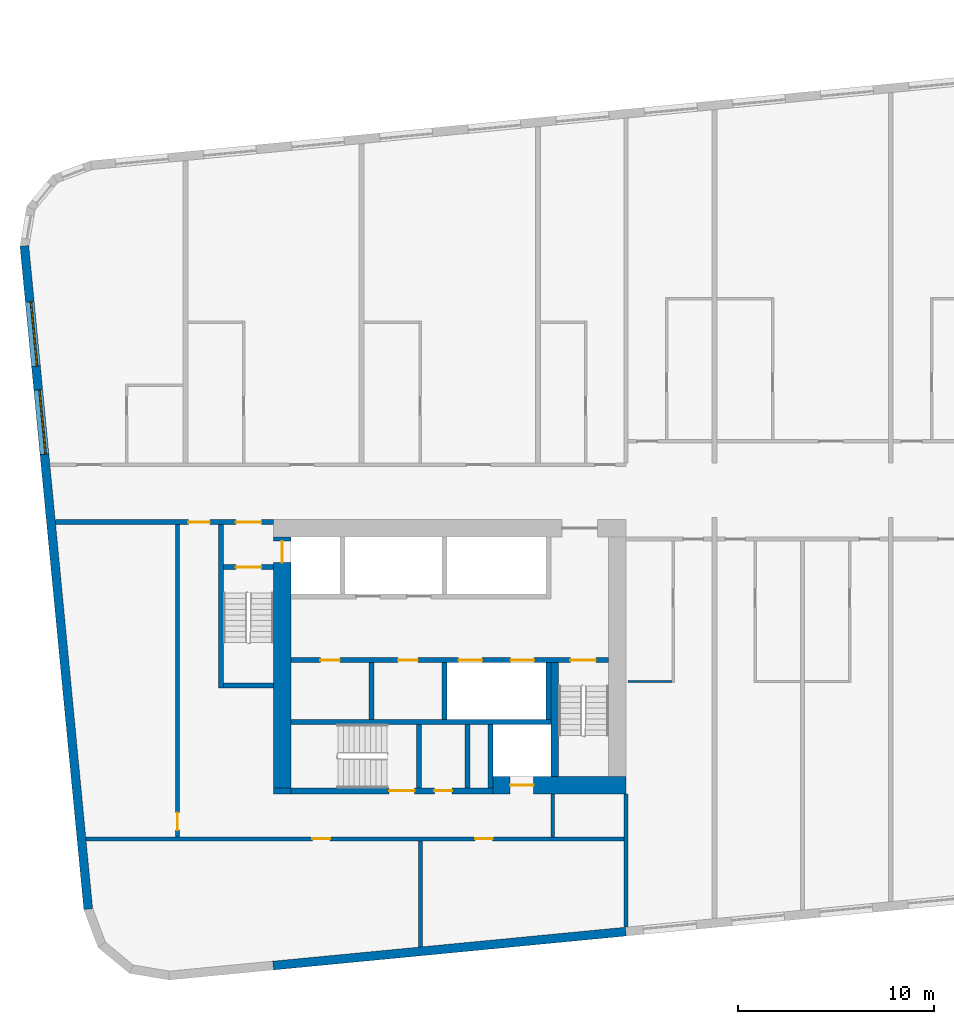
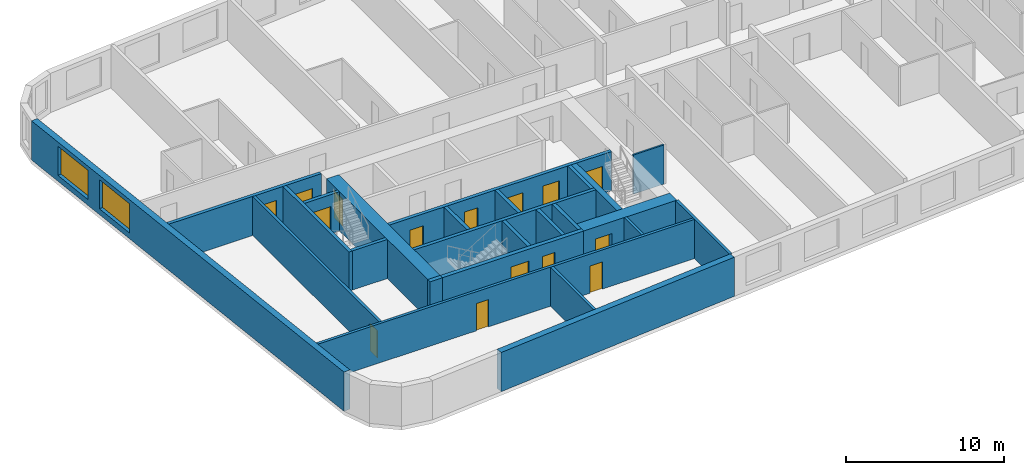
# One storey, part 2 of 12: 25 walls, 15 doors, 2 windows, 17 openings.
"""IFC4 building model written with IfcOpenShell, lengths in metres."""

from ifc_helpers import new_model, si_unit, direction, frame, frame_2d, origin, place, context, subcontext, project, spatial, rectangle, extrude, material, layer, layer_set, type_object, element, fill, save


model = new_model("IFC4")

# Units and contexts
model_context = context("Model", 3, precision=1e-05, world=origin(), true_north=direction((0.0, 1.0)))
body_context = subcontext(model_context, "Body", "Model", "MODEL_VIEW")
ifc_project = project(units=[si_unit("LENGTHUNIT", "METRE"), si_unit("AREAUNIT", "SQUARE_METRE"), si_unit("VOLUMEUNIT", "CUBIC_METRE"), si_unit("PLANEANGLEUNIT", "RADIAN"), si_unit("MASSUNIT", "GRAM", prefix="KILO")], contexts=[model_context])

# Site, building, storey
site_placement = place(None, origin())
site = spatial("IfcSite", under=ifc_project, at=site_placement, CompositionType="ELEMENT")
building_placement = place(site_placement, origin())
building = spatial("IfcBuilding", under=site, at=building_placement, Name="Kajstack Hotel Tower", CompositionType="ELEMENT")
storey_placement = place(building_placement, frame((0.0, 0.0, 193.300048828125)))
storey = spatial("IfcBuildingStorey", under=building, at=storey_placement, Name="L46", CompositionType="ELEMENT", Elevation=193.300048828125)

# Wall, opening, door
ifc_material_1 = material(Name="Concrete C60/75", Category="concrete")
ifc_layer_1 = layer(ifc_material_1, 0.89990234375)
ifc_layer_set_1 = layer_set([ifc_layer_1], Name="Core wall 900")
wall_type_1 = type_object("IfcWallType", Name="Core wall 900", PredefinedType="SHEAR", material=ifc_layer_set_1)
wall_1_placement = place(storey_placement, frame((-20.300048828125, -15.050048828125, 0.0), z_axis=(0.0, 0.0, 1.0), x_axis=(1.0, 0.0, 0.0)))
wall_1 = element("IfcWall", 1, at=wall_1_placement, inside=storey, type_object=wall_type_1, Name="Core wall W RS", PredefinedType="SHEAR", context=body_context, shape_type="SweptSolid", body=[
    extrude(rectangle(XDim=6.800048828125, YDim=0.89990234375, at=frame_2d((3.39990234375, 0.0))), origin(), (0.0, 0.0, 1.0), 3.02001953125),
])
opening_1_placement = place(wall_1_placement, frame((0.875, 0.0, 0.0)))
opening_1 = element("IfcOpeningElement", 2, at=opening_1_placement, cuts=wall_1, Name="Opening LD-SV1", PredefinedType="OPENING", context=body_context, shape_type="SweptSolid", body=[
    extrude(rectangle(XDim=1.199951171875, YDim=2.10009765625, at=frame_2d((0.60009765625, 1.050048828125))), frame((0.0, 0.4599609375, 0.0), z_axis=(0.0, -1.0, 0.0), x_axis=(1.0, 0.0, 0.0)), (0.0, 0.0, 1.0), 0.919921875),
])
ifc_material_2 = material(Name="Stainless steel", Category="steel")
door_type_1 = type_object("IfcDoorType", Name="Lift landing door 1200", OperationType="SLIDING_TO_LEFT", PredefinedType="DOOR", material=ifc_material_2)
door_1_placement = place(opening_1_placement, origin())
door_1 = element("IfcDoor", 3, at=door_1_placement, inside=storey, type_object=door_type_1, Name="Landing door SV1", OperationType="SLIDING_TO_LEFT", OverallHeight=2.10009765625, OverallWidth=1.199951171875, PredefinedType="DOOR", context=body_context, shape_type="SweptSolid", body=[
    extrude(rectangle(XDim=1.199951171875, YDim=2.10009765625, at=frame_2d((0.60009765625, 1.050048828125))), frame((0.0, 0.02490234375, 0.0), z_axis=(0.0, -1.0, 0.0), x_axis=(1.0, 0.0, 0.0)), (0.0, 0.0, 1.0), 0.050048828125),
])
fill(opening_1, door_1)

# Wall
wall_2_placement = place(storey_placement, frame((-31.5, -15.35009765625, 0.0), z_axis=(0.0, 0.0, 1.0), x_axis=(1.0, 0.0, 0.0)))
element("IfcWall", 4, at=wall_2_placement, inside=storey, type_object=wall_type_1, Name="Core wall W RSW", PredefinedType="SHEAR", context=body_context, shape_type="SweptSolid", body=[
    extrude(rectangle(XDim=0.89990234375, YDim=0.300048828125, at=frame_2d((0.449951171875, 0.0))), origin(), (0.0, 0.0, 1.0), 3.02001953125),
])

# Wall, opening, door
wall_3_placement = place(storey_placement, frame((-31.050048828125, -15.199951171875, 0.0), z_axis=(0.0, 0.0, 1.0), x_axis=(0.0, 1.0, 0.0)))
wall_3 = element("IfcWall", 5, at=wall_3_placement, inside=storey, type_object=wall_type_1, Name="Core wall W RW", PredefinedType="SHEAR", context=body_context, shape_type="SweptSolid", body=[
    extrude(rectangle(XDim=12.800048828125, YDim=0.89990234375, at=frame_2d((6.39990234375, 0.0))), origin(), (0.0, 0.0, 1.0), 3.02001953125),
])
opening_2_placement = place(wall_3_placement, frame((11.5, 0.0, 0.0)))
opening_2 = element("IfcOpeningElement", 6, at=opening_2_placement, cuts=wall_3, Name="Opening LD-FF1", PredefinedType="OPENING", context=body_context, shape_type="SweptSolid", body=[
    extrude(rectangle(XDim=1.10009765625, YDim=2.10009765625, at=frame_2d((0.550048828125, 1.050048828125))), frame((0.0, 0.4599609375, 0.0), z_axis=(0.0, -1.0, 0.0), x_axis=(1.0, 0.0, 0.0)), (0.0, 0.0, 1.0), 0.919921875),
])
door_type_2 = type_object("IfcDoorType", Name="Fire-fighting lift landing door 1100", OperationType="SLIDING_TO_LEFT", PredefinedType="DOOR", material=ifc_material_2)
door_2_placement = place(opening_2_placement, origin())
door_2 = element("IfcDoor", 7, at=door_2_placement, inside=storey, type_object=door_type_2, Name="Landing door FF1", OperationType="SLIDING_TO_RIGHT", OverallHeight=2.10009765625, OverallWidth=1.10009765625, PredefinedType="DOOR", context=body_context, shape_type="SweptSolid", body=[
    extrude(rectangle(XDim=1.10009765625, YDim=2.10009765625, at=frame_2d((0.550048828125, 1.050048828125))), frame((0.0, 0.02490234375, 0.0), z_axis=(0.0, -1.0, 0.0), x_axis=(1.0, 0.0, 0.0)), (0.0, 0.0, 1.0), 0.050048828125),
])
fill(opening_2, door_2)

# Walls
ifc_material_3 = material(Name="Twin-frame gypsum board on steel studs, mineral wool", Category="steel")
ifc_layer_2 = layer(ifc_material_3, 0.199951171875)
ifc_layer_set_2 = layer_set([ifc_layer_2], Name="Demising wall 200")
wall_type_2 = type_object("IfcWallType", Name="Demising wall 200", PredefinedType="PARTITIONING", material=ifc_layer_set_2)
wall_4_placement = place(storey_placement, frame((-13.5, -22.300048828125, 0.0), z_axis=(0.0, 0.0, 1.0), x_axis=(0.0, 1.0, 0.0)))
element("IfcWall", 8, at=wall_4_placement, inside=storey, type_object=wall_type_2, Name="G-wall-L46-002", PredefinedType="PARTITIONING", context=body_context, shape_type="SweptSolid", body=[
    extrude(rectangle(XDim=6.800048828125, YDim=0.199951171875, at=frame_2d((3.39990234375, 0.0))), origin(), (0.0, 0.0, 1.0), 3.02001953125),
])
ifc_material_4 = material(Name="Concrete C40/50", Category="concrete")
ifc_layer_3 = layer(ifc_material_4, 0.449951171875)
ifc_layer_set_3 = layer_set([ifc_layer_3], Name="EW-CORE")
wall_type_3 = type_object("IfcWallType", Name="EW-CORE", PredefinedType="SOLIDWALL", material=ifc_layer_set_3)
wall_5_placement = place(storey_placement, frame((-31.521484375, -24.26171875, 0.0), z_axis=(0.0, 0.0, 1.0), x_axis=(0.995396454615, 0.095843091245, 0.0)))
element("IfcWall", 9, at=wall_5_placement, inside=storey, type_object=wall_type_3, Name="E-wall-L46-04-01", PredefinedType="SOLIDWALL", context=body_context, shape_type="SweptSolid", body=[
    extrude(rectangle(XDim=18.083251953125, YDim=0.449951171875, at=frame_2d((9.04150390625, 0.0))), origin(), (0.0, 0.0, 1.0), 3.02001953125),
])

# Wall, openings, windows
ifc_material_5 = material(Name="Terracotta-faced brick masonry", Category="masonry")
ifc_layer_4 = layer(ifc_material_5, 0.449951171875)
ifc_layer_set_4 = layer_set([ifc_layer_4], Name="EW-TERRA")
wall_type_4 = type_object("IfcWallType", Name="EW-TERRA", PredefinedType="SOLIDWALL", material=ifc_layer_set_4)
wall_6_placement = place(storey_placement, frame((-44.21435546875, 12.465576171875, 0.0), z_axis=(0.0, 0.0, 1.0), x_axis=(0.095847314626, -0.995396047952, 0.0)))
wall_6 = element("IfcWall", 10, at=wall_6_placement, inside=storey, type_object=wall_type_4, Name="E-wall-L46-00-00", PredefinedType="SOLIDWALL", context=body_context, shape_type="SweptSolid", body=[
    extrude(rectangle(XDim=33.999755859375, YDim=0.449951171875, at=frame_2d((17.0, 0.0))), origin(), (0.0, 0.0, 1.0), 3.02001953125),
])
opening_3_placement = place(wall_6_placement, frame((2.864990234375, 0.0, 0.449951171875)))
opening_3 = element("IfcOpeningElement", 11, at=opening_3_placement, cuts=wall_6, Name="Opening W2", PredefinedType="OPENING", context=body_context, shape_type="SweptSolid", body=[
    extrude(rectangle(XDim=3.300048828125, YDim=2.25, at=frame_2d((1.64990234375, 1.125))), frame((0.0, 0.23486328125, 0.0), z_axis=(0.0, -1.0, 0.0), x_axis=(1.0, 0.0, 0.0)), (0.0, 0.0, 1.0), 0.469970703125),
])
opening_4_placement = place(wall_6_placement, frame((7.3857421875, 0.0, 0.449951171875)))
opening_4 = element("IfcOpeningElement", 12, at=opening_4_placement, cuts=wall_6, Name="Opening W2", PredefinedType="OPENING", context=body_context, shape_type="SweptSolid", body=[
    extrude(rectangle(XDim=3.300048828125, YDim=2.25, at=frame_2d((1.64990234375, 1.125))), frame((0.0, 0.23486328125, 0.0), z_axis=(0.0, -1.0, 0.0), x_axis=(1.0, 0.0, 0.0)), (0.0, 0.0, 1.0), 0.469970703125),
])
ifc_material_6 = material(Name="Timber-aluminium window, triple glazed", Category="wood")
window_type = type_object("IfcWindowType", Name="WG2", PartitioningType="SINGLE_PANEL", PredefinedType="WINDOW", material=ifc_material_6)
window_1_placement = place(opening_3_placement, origin())
window_1 = element("IfcWindow", 13, at=window_1_placement, inside=storey, type_object=window_type, Name="Window W2 L46-00", OverallHeight=2.25, OverallWidth=3.300048828125, PartitioningType="SINGLE_PANEL", PredefinedType="WINDOW", context=body_context, shape_type="SweptSolid", body=[
    extrude(rectangle(XDim=3.300048828125, YDim=2.25, at=frame_2d((1.64990234375, 1.125))), frame((0.0, 0.090087890625, 0.0), z_axis=(0.0, -1.0, 0.0), x_axis=(1.0, 0.0, 0.0)), (0.0, 0.0, 1.0), 0.06005859375),
])
fill(opening_3, window_1)
window_2_placement = place(opening_4_placement, origin())
window_2 = element("IfcWindow", 14, at=window_2_placement, inside=storey, type_object=window_type, Name="Window W2 L46-00", OverallHeight=2.25, OverallWidth=3.300048828125, PartitioningType="SINGLE_PANEL", PredefinedType="WINDOW", context=body_context, shape_type="SweptSolid", body=[
    extrude(rectangle(XDim=3.300048828125, YDim=2.25, at=frame_2d((1.64990234375, 1.125))), frame((0.0, 0.090087890625, 0.0), z_axis=(0.0, -1.0, 0.0), x_axis=(1.0, 0.0, 0.0)), (0.0, 0.0, 1.0), 0.06005859375),
])
fill(opening_4, window_2)

# Walls
ifc_material_7 = material(Name="Gypsum board and tiled backer on steel studs", Category="steel")
ifc_layer_5 = layer(ifc_material_7, 0.125)
ifc_layer_set_5 = layer_set([ifc_layer_5], Name="En-suite wall 125")
wall_type_5 = type_object("IfcWallType", Name="En-suite wall 125", PredefinedType="PARTITIONING", material=ifc_layer_set_5)
wall_7_placement = place(storey_placement, frame((-13.39990234375, -9.761962890625, 0.0), z_axis=(0.0, 0.0, 1.0), x_axis=(1.0, 0.0, 0.0)))
element("IfcWall", 15, at=wall_7_placement, inside=storey, type_object=wall_type_5, Name="G-wall-L46-029", PredefinedType="PARTITIONING", context=body_context, shape_type="SweptSolid", body=[
    extrude(rectangle(XDim=2.25, YDim=0.125, at=frame_2d((1.125, 0.0))), origin(), (0.0, 0.0, 1.0), 3.02001953125),
])
ifc_material_8 = material(Name="Concrete C50/60", Category="concrete")
ifc_layer_6 = layer(ifc_material_8, 0.300048828125)
ifc_layer_set_6 = layer_set([ifc_layer_6], Name="Hoistway divider wall 300")
wall_type_6 = type_object("IfcWallType", Name="Hoistway divider wall 300", PredefinedType="SHEAR", material=ifc_layer_set_6)
wall_8_placement = place(storey_placement, frame((-22.77490234375, -11.699951171875, 0.0), z_axis=(0.0, 0.0, 1.0), x_axis=(0.0, 1.0, 0.0)))
element("IfcWall", 16, at=wall_8_placement, inside=storey, type_object=wall_type_6, Name="Core wall W BP2", PredefinedType="SHEAR", context=body_context, shape_type="SweptSolid", body=[
    extrude(rectangle(XDim=2.89990234375, YDim=0.25, at=frame_2d((1.449951171875, 0.0))), origin(), (0.0, 0.0, 1.0), 3.02001953125),
])
ifc_material_9 = material(Name="Concrete block masonry", Category="masonry")
ifc_layer_7 = layer(ifc_material_9, 0.25)
ifc_layer_set_7 = layer_set([ifc_layer_7], Name="Riser partition 250")
wall_type_7 = type_object("IfcWallType", Name="Riser partition 250", PredefinedType="PARTITIONING", material=ifc_layer_set_7)
wall_9_placement = place(storey_placement, frame((-26.5, -11.699951171875, 0.0), z_axis=(0.0, 0.0, 1.0), x_axis=(0.0, 1.0, 0.0)))
element("IfcWall", 17, at=wall_9_placement, inside=storey, type_object=wall_type_7, Name="Partition W BF0", PredefinedType="PARTITIONING", context=body_context, shape_type="SweptSolid", body=[
    extrude(rectangle(XDim=2.89990234375, YDim=0.25, at=frame_2d((1.449951171875, 0.0))), origin(), (0.0, 0.0, 1.0), 3.02001953125),
])
wall_10_placement = place(storey_placement, frame((-21.60009765625, -15.199951171875, 0.0), z_axis=(0.0, 0.0, 1.0), x_axis=(0.0, 1.0, 0.0)))
element("IfcWall", 18, at=wall_10_placement, inside=storey, type_object=wall_type_7, Name="Partition W SZ0", PredefinedType="PARTITIONING", context=body_context, shape_type="SweptSolid", body=[
    extrude(rectangle(XDim=3.25, YDim=0.25, at=frame_2d((1.625, 0.0))), origin(), (0.0, 0.0, 1.0), 3.02001953125),
])

# Wall, openings, doors
ifc_material_10 = material(Name="Gypsum board on steel studs, mineral wool", Category="steel")
ifc_layer_8 = layer(ifc_material_10, 0.199951171875)
ifc_layer_set_8 = layer_set([ifc_layer_8], Name="Service partition 200")
wall_type_8 = type_object("IfcWallType", Name="Service partition 200", PredefinedType="PARTITIONING", material=ifc_layer_set_8)
wall_11_placement = place(storey_placement, frame((-42.631591796875, -1.625, 0.0), z_axis=(0.0, 0.0, 1.0), x_axis=(1.0, 0.0, 0.0)))
wall_11 = element("IfcWall", 19, at=wall_11_placement, inside=storey, type_object=wall_type_8, Name="Partition W SN", PredefinedType="PARTITIONING", context=body_context, shape_type="SweptSolid", body=[
    extrude(rectangle(XDim=11.131591796875, YDim=0.25, at=frame_2d((5.56591796875, 0.0))), origin(), (0.0, 0.0, 1.0), 3.02001953125),
])
opening_5_placement = place(wall_11_placement, frame((9.20654296875, 0.0, 0.0)))
opening_5 = element("IfcOpeningElement", 20, at=opening_5_placement, cuts=wall_11, Name="Opening 46W08", PredefinedType="OPENING", context=body_context, shape_type="SweptSolid", body=[
    extrude(rectangle(XDim=1.300048828125, YDim=2.10009765625, at=frame_2d((0.64990234375, 1.050048828125))), frame((0.0, 0.135009765625, 0.0), z_axis=(0.0, -1.0, 0.0), x_axis=(1.0, 0.0, 0.0)), (0.0, 0.0, 1.0), 0.27001953125),
])
opening_6_placement = place(wall_11_placement, frame((6.781494140625, 0.0, 0.0)))
opening_6 = element("IfcOpeningElement", 21, at=opening_6_placement, cuts=wall_11, Name="Opening 46W10", PredefinedType="OPENING", context=body_context, shape_type="SweptSolid", body=[
    extrude(rectangle(XDim=1.10009765625, YDim=2.10009765625, at=frame_2d((0.550048828125, 1.050048828125))), frame((0.0, 0.135009765625, 0.0), z_axis=(0.0, -1.0, 0.0), x_axis=(1.0, 0.0, 0.0)), (0.0, 0.0, 1.0), 0.27001953125),
])
ifc_material_11 = material(Name="Steel leaf, fire-rated", Category="steel")
door_type_3 = type_object("IfcDoorType", Name="Fire lobby door 1300", OperationType="SINGLE_SWING_LEFT", PredefinedType="DOOR", material=ifc_material_11)
door_3_placement = place(opening_5_placement, origin())
door_3 = element("IfcDoor", 22, at=door_3_placement, inside=storey, type_object=door_type_3, Name="Door 46W08", OperationType="SINGLE_SWING_RIGHT", OverallHeight=2.10009765625, OverallWidth=1.300048828125, PredefinedType="DOOR", context=body_context, shape_type="SweptSolid", body=[
    extrude(rectangle(XDim=1.300048828125, YDim=2.10009765625, at=frame_2d((0.64990234375, 1.050048828125))), frame((0.0, 0.02490234375, 0.0), z_axis=(0.0, -1.0, 0.0), x_axis=(1.0, 0.0, 0.0)), (0.0, 0.0, 1.0), 0.050048828125),
])
fill(opening_5, door_3)
ifc_material_12 = material(Name="Timber leaf, fire-rated", Category="wood")
door_type_4 = type_object("IfcDoorType", Name="Service corridor door 1100", OperationType="SINGLE_SWING_LEFT", PredefinedType="DOOR", material=ifc_material_12)
door_4_placement = place(opening_6_placement, origin())
door_4 = element("IfcDoor", 23, at=door_4_placement, inside=storey, type_object=door_type_4, Name="Door 46W10", OperationType="SINGLE_SWING_RIGHT", OverallHeight=2.10009765625, OverallWidth=1.10009765625, PredefinedType="DOOR", context=body_context, shape_type="SweptSolid", body=[
    extrude(rectangle(XDim=1.10009765625, YDim=2.10009765625, at=frame_2d((0.550048828125, 1.050048828125))), frame((0.0, 0.02490234375, 0.0), z_axis=(0.0, -1.0, 0.0), x_axis=(1.0, 0.0, 0.0)), (0.0, 0.0, 1.0), 0.050048828125),
])
fill(opening_6, door_4)

# Wall
wall_12_placement = place(storey_placement, frame((-17.25, -17.699951171875, 0.0), z_axis=(0.0, 0.0, 1.0), x_axis=(0.0, 1.0, 0.0)))
element("IfcWall", 24, at=wall_12_placement, inside=storey, type_object=wall_type_8, Name="Partition W SCE", PredefinedType="PARTITIONING", context=body_context, shape_type="SweptSolid", body=[
    extrude(rectangle(XDim=2.199951171875, YDim=0.199951171875, at=frame_2d((1.10009765625, 0.0))), origin(), (0.0, 0.0, 1.0), 3.02001953125),
])

# Wall, opening, door
wall_13_placement = place(storey_placement, frame((-36.39990234375, -17.699951171875, 0.0), z_axis=(0.0, 0.0, 1.0), x_axis=(0.0, 1.0, 0.0)))
wall_13 = element("IfcWall", 25, at=wall_13_placement, inside=storey, type_object=wall_type_8, Name="Partition W WRE", PredefinedType="PARTITIONING", context=body_context, shape_type="SweptSolid", body=[
    extrude(rectangle(XDim=15.949951171875, YDim=0.199951171875, at=frame_2d((7.97509765625, 0.0))), origin(), (0.0, 0.0, 1.0), 3.02001953125),
])
opening_7_placement = place(wall_13_placement, frame((0.35009765625, 0.0, 0.0)))
opening_7 = element("IfcOpeningElement", 26, at=opening_7_placement, cuts=wall_13, Name="Opening 46W18", PredefinedType="OPENING", context=body_context, shape_type="SweptSolid", body=[
    extrude(rectangle(XDim=0.89990234375, YDim=2.10009765625, at=frame_2d((0.449951171875, 1.050048828125))), frame((0.0, 0.10986328125, 0.0), z_axis=(0.0, -1.0, 0.0), x_axis=(1.0, 0.0, 0.0)), (0.0, 0.0, 1.0), 0.219970703125),
])
door_type_5 = type_object("IfcDoorType", Name="Service door 900", OperationType="SINGLE_SWING_LEFT", PredefinedType="DOOR", material=ifc_material_12)
door_5_placement = place(opening_7_placement, origin())
door_5 = element("IfcDoor", 27, at=door_5_placement, inside=storey, type_object=door_type_5, Name="Door 46W18", OperationType="SINGLE_SWING_LEFT", OverallHeight=2.10009765625, OverallWidth=0.89990234375, PredefinedType="DOOR", context=body_context, shape_type="SweptSolid", body=[
    extrude(rectangle(XDim=0.89990234375, YDim=2.10009765625, at=frame_2d((0.449951171875, 1.050048828125))), frame((0.0, 0.02490234375, 0.0), z_axis=(0.0, -1.0, 0.0), x_axis=(1.0, 0.0, 0.0)), (0.0, 0.0, 1.0), 0.050048828125),
])
fill(opening_7, door_5)

# Wall, openings, doors
wall_14_placement = place(storey_placement, frame((-41.07421875, -17.800048828125, 0.0), z_axis=(0.0, 0.0, 1.0), x_axis=(1.0, 0.0, 0.0)))
wall_14 = element("IfcWall", 28, at=wall_14_placement, inside=storey, type_object=wall_type_8, Name="Partition W SLN", PredefinedType="PARTITIONING", context=body_context, shape_type="SweptSolid", body=[
    extrude(rectangle(XDim=27.47412109375, YDim=0.199951171875, at=frame_2d((13.737060546875, 0.0))), origin(), (0.0, 0.0, 1.0), 3.02001953125),
])
opening_8_placement = place(wall_14_placement, frame((11.5615234375, 0.0, 0.0)))
opening_8 = element("IfcOpeningElement", 29, at=opening_8_placement, cuts=wall_14, Name="Opening 46W16", PredefinedType="OPENING", context=body_context, shape_type="SweptSolid", body=[
    extrude(rectangle(XDim=0.89990234375, YDim=2.10009765625, at=frame_2d((0.449951171875, 1.050048828125))), frame((0.0, 0.10986328125, 0.0), z_axis=(0.0, -1.0, 0.0), x_axis=(1.0, 0.0, 0.0)), (0.0, 0.0, 1.0), 0.219970703125),
])
opening_9_placement = place(wall_14_placement, frame((19.861572265625, 0.0, 0.0)))
opening_9 = element("IfcOpeningElement", 30, at=opening_9_placement, cuts=wall_14, Name="Opening 46W17", PredefinedType="OPENING", context=body_context, shape_type="SweptSolid", body=[
    extrude(rectangle(XDim=0.89990234375, YDim=2.10009765625, at=frame_2d((0.449951171875, 1.050048828125))), frame((0.0, 0.10986328125, 0.0), z_axis=(0.0, -1.0, 0.0), x_axis=(1.0, 0.0, 0.0)), (0.0, 0.0, 1.0), 0.219970703125),
])
door_6_placement = place(opening_8_placement, origin())
door_6 = element("IfcDoor", 31, at=door_6_placement, inside=storey, type_object=door_type_5, Name="Door 46W16", OperationType="SINGLE_SWING_RIGHT", OverallHeight=2.10009765625, OverallWidth=0.89990234375, PredefinedType="DOOR", context=body_context, shape_type="SweptSolid", body=[
    extrude(rectangle(XDim=0.89990234375, YDim=2.10009765625, at=frame_2d((0.449951171875, 1.050048828125))), frame((0.0, 0.02490234375, 0.0), z_axis=(0.0, -1.0, 0.0), x_axis=(1.0, 0.0, 0.0)), (0.0, 0.0, 1.0), 0.050048828125),
])
fill(opening_8, door_6)
door_7_placement = place(opening_9_placement, origin())
door_7 = element("IfcDoor", 32, at=door_7_placement, inside=storey, type_object=door_type_5, Name="Door 46W17", OperationType="SINGLE_SWING_RIGHT", OverallHeight=2.10009765625, OverallWidth=0.89990234375, PredefinedType="DOOR", context=body_context, shape_type="SweptSolid", body=[
    extrude(rectangle(XDim=0.89990234375, YDim=2.10009765625, at=frame_2d((0.449951171875, 1.050048828125))), frame((0.0, 0.02490234375, 0.0), z_axis=(0.0, -1.0, 0.0), x_axis=(1.0, 0.0, 0.0)), (0.0, 0.0, 1.0), 0.050048828125),
])
fill(opening_9, door_7)

# Wall
wall_15_placement = place(storey_placement, frame((-24.0, -23.3125, 0.0), z_axis=(0.0, 0.0, 1.0), x_axis=(0.0, 1.0, 0.0)))
element("IfcWall", 33, at=wall_15_placement, inside=storey, type_object=wall_type_8, Name="Partition W SLP0", PredefinedType="PARTITIONING", context=body_context, shape_type="SweptSolid", body=[
    extrude(rectangle(XDim=5.41259765625, YDim=0.199951171875, at=frame_2d((2.706298828125, 0.0))), origin(), (0.0, 0.0, 1.0), 3.02001953125),
])

# Wall, openings, doors
ifc_layer_9 = layer(ifc_material_8, 0.25)
ifc_layer_set_9 = layer_set([ifc_layer_9], Name="Shaft wall 250")
wall_type_9 = type_object("IfcWallType", Name="Shaft wall 250", PredefinedType="SHEAR", material=ifc_layer_set_9)
wall_16_placement = place(storey_placement, frame((-30.60009765625, -15.35009765625, 0.0), z_axis=(0.0, 0.0, 1.0), x_axis=(1.0, 0.0, 0.0)))
wall_16 = element("IfcWall", 34, at=wall_16_placement, inside=storey, type_object=wall_type_9, Name="Core wall W RSS", PredefinedType="SHEAR", context=body_context, shape_type="SweptSolid", body=[
    extrude(rectangle(XDim=10.300048828125, YDim=0.300048828125, at=frame_2d((5.14990234375, 0.0))), origin(), (0.0, 0.0, 1.0), 3.02001953125),
])
opening_10_placement = place(wall_16_placement, frame((5.0, 0.0, 0.0)))
opening_10 = element("IfcOpeningElement", 35, at=opening_10_placement, cuts=wall_16, Name="Opening 46W12", PredefinedType="OPENING", context=body_context, shape_type="SweptSolid", body=[
    extrude(rectangle(XDim=1.300048828125, YDim=2.10009765625, at=frame_2d((0.64990234375, 1.050048828125))), frame((0.0, 0.159912109375, 0.0), z_axis=(0.0, -1.0, 0.0), x_axis=(1.0, 0.0, 0.0)), (0.0, 0.0, 1.0), 0.320068359375),
])
opening_11_placement = place(wall_16_placement, frame((7.3125, 0.0, 0.0)))
opening_11 = element("IfcOpeningElement", 36, at=opening_11_placement, cuts=wall_16, Name="Opening 46W13", PredefinedType="OPENING", context=body_context, shape_type="SweptSolid", body=[
    extrude(rectangle(XDim=0.89990234375, YDim=2.10009765625, at=frame_2d((0.449951171875, 1.050048828125))), frame((0.0, 0.159912109375, 0.0), z_axis=(0.0, -1.0, 0.0), x_axis=(1.0, 0.0, 0.0)), (0.0, 0.0, 1.0), 0.320068359375),
])
door_8_placement = place(opening_11_placement, origin())
door_8 = element("IfcDoor", 37, at=door_8_placement, inside=storey, type_object=door_type_5, Name="Door 46W13", OperationType="SINGLE_SWING_LEFT", OverallHeight=2.10009765625, OverallWidth=0.89990234375, PredefinedType="DOOR", context=body_context, shape_type="SweptSolid", body=[
    extrude(rectangle(XDim=0.89990234375, YDim=2.10009765625, at=frame_2d((0.449951171875, 1.050048828125))), frame((0.0, 0.02490234375, 0.0), z_axis=(0.0, -1.0, 0.0), x_axis=(1.0, 0.0, 0.0)), (0.0, 0.0, 1.0), 0.050048828125),
])
fill(opening_11, door_8)
door_type_6 = type_object("IfcDoorType", Name="Stair door 1300", OperationType="SINGLE_SWING_LEFT", PredefinedType="DOOR", material=ifc_material_11)
door_9_placement = place(opening_10_placement, origin())
door_9 = element("IfcDoor", 38, at=door_9_placement, inside=storey, type_object=door_type_6, Name="Door 46W12", OperationType="SINGLE_SWING_RIGHT", OverallHeight=2.10009765625, OverallWidth=1.300048828125, PredefinedType="DOOR", context=body_context, shape_type="SweptSolid", body=[
    extrude(rectangle(XDim=1.300048828125, YDim=2.10009765625, at=frame_2d((0.64990234375, 1.050048828125))), frame((0.0, 0.02490234375, 0.0), z_axis=(0.0, -1.0, 0.0), x_axis=(1.0, 0.0, 0.0)), (0.0, 0.0, 1.0), 0.050048828125),
])
fill(opening_10, door_9)

wall_17_placement = place(storey_placement, frame((-30.60009765625, -8.675048828125, 0.0), z_axis=(0.0, 0.0, 1.0), x_axis=(1.0, 0.0, 0.0)))
wall_17 = element("IfcWall", 39, at=wall_17_placement, inside=storey, type_object=wall_type_9, Name="Core wall W FB", PredefinedType="SHEAR", context=body_context, shape_type="SweptSolid", body=[
    extrude(rectangle(XDim=16.2001953125, YDim=0.25, at=frame_2d((8.10009765625, 0.0))), origin(), (0.0, 0.0, 1.0), 3.02001953125),
])
opening_12_placement = place(wall_17_placement, frame((8.550048828125, 0.0, 0.0)))
opening_12 = element("IfcOpeningElement", 40, at=opening_12_placement, cuts=wall_17, Name="Opening LD-MR1", PredefinedType="OPENING", context=body_context, shape_type="SweptSolid", body=[
    extrude(rectangle(XDim=1.199951171875, YDim=2.10009765625, at=frame_2d((0.60009765625, 1.050048828125))), frame((0.0, 0.135009765625, 0.0), z_axis=(0.0, -1.0, 0.0), x_axis=(1.0, 0.0, 0.0)), (0.0, 0.0, 1.0), 0.27001953125),
])
opening_13_placement = place(wall_17_placement, frame((11.199951171875, 0.0, 0.0)))
opening_13 = element("IfcOpeningElement", 41, at=opening_13_placement, cuts=wall_17, Name="Opening LD-MR2", PredefinedType="OPENING", context=body_context, shape_type="SweptSolid", body=[
    extrude(rectangle(XDim=1.199951171875, YDim=2.10009765625, at=frame_2d((0.60009765625, 1.050048828125))), frame((0.0, 0.135009765625, 0.0), z_axis=(0.0, -1.0, 0.0), x_axis=(1.0, 0.0, 0.0)), (0.0, 0.0, 1.0), 0.27001953125),
])
opening_14_placement = place(wall_17_placement, frame((14.25, 0.0, 0.0)))
opening_14 = element("IfcOpeningElement", 42, at=opening_14_placement, cuts=wall_17, Name="Opening 46W11", PredefinedType="OPENING", context=body_context, shape_type="SweptSolid", body=[
    extrude(rectangle(XDim=1.300048828125, YDim=2.10009765625, at=frame_2d((0.64990234375, 1.050048828125))), frame((0.0, 0.135009765625, 0.0), z_axis=(0.0, -1.0, 0.0), x_axis=(1.0, 0.0, 0.0)), (0.0, 0.0, 1.0), 0.27001953125),
])
opening_15_placement = place(wall_17_placement, frame((1.487548828125, 0.0, 0.0)))
opening_15 = element("IfcOpeningElement", 43, at=opening_15_placement, cuts=wall_17, Name="Opening 46W14", PredefinedType="OPENING", context=body_context, shape_type="SweptSolid", body=[
    extrude(rectangle(XDim=1.0, YDim=2.10009765625, at=frame_2d((0.5, 1.050048828125))), frame((0.0, 0.135009765625, 0.0), z_axis=(0.0, -1.0, 0.0), x_axis=(1.0, 0.0, 0.0)), (0.0, 0.0, 1.0), 0.27001953125),
])
opening_16_placement = place(wall_17_placement, frame((5.46240234375, 0.0, 0.0)))
opening_16 = element("IfcOpeningElement", 44, at=opening_16_placement, cuts=wall_17, Name="Opening 46W15", PredefinedType="OPENING", context=body_context, shape_type="SweptSolid", body=[
    extrude(rectangle(XDim=1.0, YDim=2.10009765625, at=frame_2d((0.5, 1.050048828125))), frame((0.0, 0.135009765625, 0.0), z_axis=(0.0, -1.0, 0.0), x_axis=(1.0, 0.0, 0.0)), (0.0, 0.0, 1.0), 0.27001953125),
])
door_10_placement = place(opening_12_placement, origin())
door_10 = element("IfcDoor", 45, at=door_10_placement, inside=storey, type_object=door_type_1, Name="Landing door MR1", OperationType="SLIDING_TO_LEFT", OverallHeight=2.10009765625, OverallWidth=1.199951171875, PredefinedType="DOOR", context=body_context, shape_type="SweptSolid", body=[
    extrude(rectangle(XDim=1.199951171875, YDim=2.10009765625, at=frame_2d((0.60009765625, 1.050048828125))), frame((0.0, 0.02490234375, 0.0), z_axis=(0.0, -1.0, 0.0), x_axis=(1.0, 0.0, 0.0)), (0.0, 0.0, 1.0), 0.050048828125),
])
fill(opening_12, door_10)
door_11_placement = place(opening_13_placement, origin())
door_11 = element("IfcDoor", 46, at=door_11_placement, inside=storey, type_object=door_type_1, Name="Landing door MR2", OperationType="SLIDING_TO_RIGHT", OverallHeight=2.10009765625, OverallWidth=1.199951171875, PredefinedType="DOOR", context=body_context, shape_type="SweptSolid", body=[
    extrude(rectangle(XDim=1.199951171875, YDim=2.10009765625, at=frame_2d((0.60009765625, 1.050048828125))), frame((0.0, 0.02490234375, 0.0), z_axis=(0.0, -1.0, 0.0), x_axis=(1.0, 0.0, 0.0)), (0.0, 0.0, 1.0), 0.050048828125),
])
fill(opening_13, door_11)
door_type_7 = type_object("IfcDoorType", Name="Service room door 1000", OperationType="SINGLE_SWING_LEFT", PredefinedType="DOOR", material=ifc_material_12)
door_12_placement = place(opening_15_placement, origin())
door_12 = element("IfcDoor", 47, at=door_12_placement, inside=storey, type_object=door_type_7, Name="Door 46W14", OperationType="SINGLE_SWING_RIGHT", OverallHeight=2.10009765625, OverallWidth=1.0, PredefinedType="DOOR", context=body_context, shape_type="SweptSolid", body=[
    extrude(rectangle(XDim=1.0, YDim=2.10009765625, at=frame_2d((0.5, 1.050048828125))), frame((0.0, 0.02490234375, 0.0), z_axis=(0.0, -1.0, 0.0), x_axis=(1.0, 0.0, 0.0)), (0.0, 0.0, 1.0), 0.050048828125),
])
fill(opening_15, door_12)
door_13_placement = place(opening_16_placement, origin())
door_13 = element("IfcDoor", 48, at=door_13_placement, inside=storey, type_object=door_type_7, Name="Door 46W15", OperationType="SINGLE_SWING_RIGHT", OverallHeight=2.10009765625, OverallWidth=1.0, PredefinedType="DOOR", context=body_context, shape_type="SweptSolid", body=[
    extrude(rectangle(XDim=1.0, YDim=2.10009765625, at=frame_2d((0.5, 1.050048828125))), frame((0.0, 0.02490234375, 0.0), z_axis=(0.0, -1.0, 0.0), x_axis=(1.0, 0.0, 0.0)), (0.0, 0.0, 1.0), 0.050048828125),
])
fill(opening_16, door_13)
door_14_placement = place(opening_14_placement, origin())
door_14 = element("IfcDoor", 49, at=door_14_placement, inside=storey, type_object=door_type_6, Name="Door 46W11", OperationType="SINGLE_SWING_RIGHT", OverallHeight=2.10009765625, OverallWidth=1.300048828125, PredefinedType="DOOR", context=body_context, shape_type="SweptSolid", body=[
    extrude(rectangle(XDim=1.300048828125, YDim=2.10009765625, at=frame_2d((0.64990234375, 1.050048828125))), frame((0.0, 0.02490234375, 0.0), z_axis=(0.0, -1.0, 0.0), x_axis=(1.0, 0.0, 0.0)), (0.0, 0.0, 1.0), 0.050048828125),
])
fill(opening_14, door_14)

# Walls
wall_18_placement = place(storey_placement, frame((-30.60009765625, -11.824951171875, 0.0), z_axis=(0.0, 0.0, 1.0), x_axis=(1.0, 0.0, 0.0)))
element("IfcWall", 50, at=wall_18_placement, inside=storey, type_object=wall_type_9, Name="Core wall W RB", PredefinedType="SHEAR", context=body_context, shape_type="SweptSolid", body=[
    extrude(rectangle(XDim=13.25, YDim=0.25, at=frame_2d((6.625, 0.0))), origin(), (0.0, 0.0, 1.0), 3.02001953125),
])
wall_19_placement = place(storey_placement, frame((-17.47509765625, -11.699951171875, 0.0), z_axis=(0.0, 0.0, 1.0), x_axis=(0.0, 1.0, 0.0)))
element("IfcWall", 51, at=wall_19_placement, inside=storey, type_object=wall_type_9, Name="Core wall W BE", PredefinedType="SHEAR", context=body_context, shape_type="SweptSolid", body=[
    extrude(rectangle(XDim=2.89990234375, YDim=0.25, at=frame_2d((1.449951171875, 0.0))), origin(), (0.0, 0.0, 1.0), 3.02001953125),
])
wall_20_placement = place(storey_placement, frame((-20.425048828125, -15.199951171875, 0.0), z_axis=(0.0, 0.0, 1.0), x_axis=(0.0, 1.0, 0.0)))
element("IfcWall", 52, at=wall_20_placement, inside=storey, type_object=wall_type_9, Name="Core wall W SVW", PredefinedType="SHEAR", context=body_context, shape_type="SweptSolid", body=[
    extrude(rectangle(XDim=3.25, YDim=0.25, at=frame_2d((1.625, 0.0))), origin(), (0.0, 0.0, 1.0), 3.02001953125),
])

# Wall, opening, door
ifc_layer_10 = layer(ifc_material_4, 0.25)
ifc_layer_set_10 = layer_set([ifc_layer_10], Name="Stair enclosure wall 250")
wall_type_10 = type_object("IfcWallType", Name="Stair enclosure wall 250", PredefinedType="SHEAR", material=ifc_layer_set_10)
wall_21_placement = place(storey_placement, frame((-34.050048828125, -3.925048828125, 0.0), z_axis=(0.0, 0.0, 1.0), x_axis=(1.0, 0.0, 0.0)))
wall_21 = element("IfcWall", 53, at=wall_21_placement, inside=storey, type_object=wall_type_10, Name="Core wall W W1N", PredefinedType="SHEAR", context=body_context, shape_type="SweptSolid", body=[
    extrude(rectangle(XDim=2.550048828125, YDim=0.25, at=frame_2d((1.27490234375, 0.0))), origin(), (0.0, 0.0, 1.0), 3.02001953125),
])
opening_17_placement = place(wall_21_placement, frame((0.625, 0.0, 0.0)))
opening_17 = element("IfcOpeningElement", 54, at=opening_17_placement, cuts=wall_21, Name="Opening 46W09", PredefinedType="OPENING", context=body_context, shape_type="SweptSolid", body=[
    extrude(rectangle(XDim=1.300048828125, YDim=2.10009765625, at=frame_2d((0.64990234375, 1.050048828125))), frame((0.0, 0.135009765625, 0.0), z_axis=(0.0, -1.0, 0.0), x_axis=(1.0, 0.0, 0.0)), (0.0, 0.0, 1.0), 0.27001953125),
])
door_15_placement = place(opening_17_placement, origin())
door_15 = element("IfcDoor", 55, at=door_15_placement, inside=storey, type_object=door_type_6, Name="Door 46W09", OperationType="SINGLE_SWING_RIGHT", OverallHeight=2.10009765625, OverallWidth=1.300048828125, PredefinedType="DOOR", context=body_context, shape_type="SweptSolid", body=[
    extrude(rectangle(XDim=1.300048828125, YDim=2.10009765625, at=frame_2d((0.64990234375, 1.050048828125))), frame((0.0, 0.02490234375, 0.0), z_axis=(0.0, -1.0, 0.0), x_axis=(1.0, 0.0, 0.0)), (0.0, 0.0, 1.0), 0.050048828125),
])
fill(opening_17, door_15)

# Walls
wall_22_placement = place(storey_placement, frame((-34.175048828125, -10.10009765625, 0.0), z_axis=(0.0, 0.0, 1.0), x_axis=(0.0, 1.0, 0.0)))
element("IfcWall", 56, at=wall_22_placement, inside=storey, type_object=wall_type_10, Name="Core wall W W1W", PredefinedType="SHEAR", context=body_context, shape_type="SweptSolid", body=[
    extrude(rectangle(XDim=8.35009765625, YDim=0.25, at=frame_2d((4.175048828125, 0.0))), origin(), (0.0, 0.0, 1.0), 3.02001953125),
])
wall_23_placement = place(storey_placement, frame((-34.050048828125, -9.97509765625, 0.0), z_axis=(0.0, 0.0, 1.0), x_axis=(1.0, 0.0, 0.0)))
element("IfcWall", 57, at=wall_23_placement, inside=storey, type_object=wall_type_10, Name="Core wall W W1S", PredefinedType="SHEAR", context=body_context, shape_type="SweptSolid", body=[
    extrude(rectangle(XDim=2.550048828125, YDim=0.25, at=frame_2d((1.27490234375, 0.0))), origin(), (0.0, 0.0, 1.0), 3.02001953125),
])
ifc_layer_11 = layer(ifc_material_8, 0.35009765625)
ifc_layer_set_11 = layer_set([ifc_layer_11], Name="Stair enclosure wall 350")
wall_type_11 = type_object("IfcWallType", Name="Stair enclosure wall 350", PredefinedType="SHEAR", material=ifc_layer_set_11)
wall_24_placement = place(storey_placement, frame((-24.074951171875, -15.199951171875, 0.0), z_axis=(0.0, 0.0, 1.0), x_axis=(0.0, 1.0, 0.0)))
element("IfcWall", 58, at=wall_24_placement, inside=storey, type_object=wall_type_11, Name="Core wall W W3E", PredefinedType="SHEAR", context=body_context, shape_type="SweptSolid", body=[
    extrude(rectangle(XDim=3.25, YDim=0.25, at=frame_2d((1.625, 0.0))), origin(), (0.0, 0.0, 1.0), 3.02001953125),
])
ifc_layer_12 = layer(ifc_material_8, 0.39990234375)
ifc_layer_set_12 = layer_set([ifc_layer_12], Name="Stair wall 400")
wall_type_12 = type_object("IfcWallType", Name="Stair wall 400", PredefinedType="SHEAR", material=ifc_layer_set_12)
wall_25_placement = place(storey_placement, frame((-17.14990234375, -14.60009765625, 0.0), z_axis=(0.0, 0.0, 1.0), x_axis=(0.0, 1.0, 0.0)))
element("IfcWall", 59, at=wall_25_placement, inside=storey, type_object=wall_type_12, Name="Core wall W WW2", PredefinedType="SHEAR", context=body_context, shape_type="SweptSolid", body=[
    extrude(rectangle(XDim=5.800048828125, YDim=0.39990234375, at=frame_2d((2.89990234375, 0.0))), origin(), (0.0, 0.0, 1.0), 3.02001953125),
])

save(model, "model.ifc")
